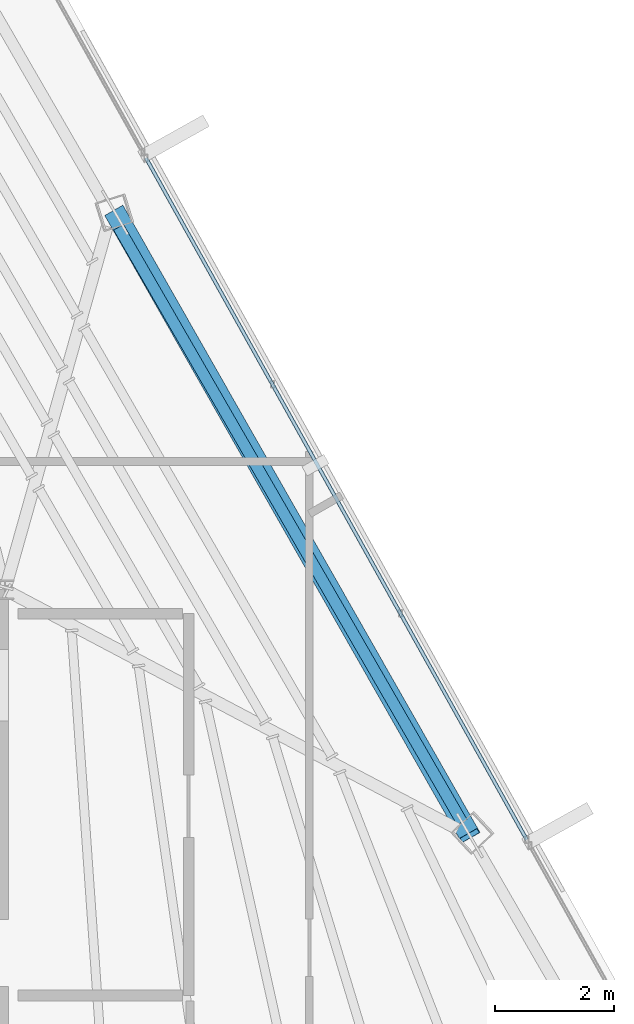
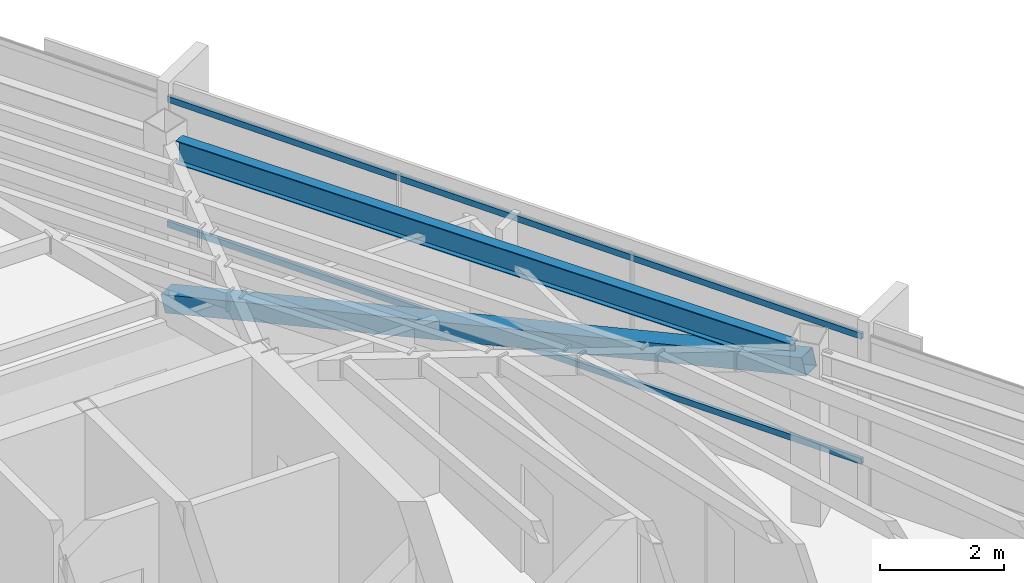
# One storey, part 29 of 48: 3 members, 1 beam, 1 element without a shape of its own.
"""IFC4 building model written with IfcOpenShell, lengths in metres."""

from ifc_helpers import new_model, si_unit, direction, frame, origin, origin_2d, place, context, subcontext, project, spatial, hollow_rectangle, i_section, extrude, source, transform, mapped, material, material_profile, profile_set, type_object, type_shapes, element, aggregate, save


model = new_model("IFC4")

# Units and contexts
model_context = context("Model", 3, precision=1e-05, world=origin(), true_north=direction((0.0, 1.0)))
body_context = subcontext(model_context, "Body", "Model", "MODEL_VIEW")
ifc_project = project(units=[si_unit("LENGTHUNIT", "METRE"), si_unit("AREAUNIT", "SQUARE_METRE"), si_unit("VOLUMEUNIT", "CUBIC_METRE"), si_unit("PLANEANGLEUNIT", "RADIAN"), si_unit("MASSUNIT", "GRAM", prefix="KILO")], contexts=[model_context])

# Site, building, storey
site_placement = place(None, origin())
site = spatial("IfcSite", under=ifc_project, at=site_placement, CompositionType="ELEMENT")
building_placement = place(site_placement, origin())
building = spatial("IfcBuilding", under=site, at=building_placement, Name="Caelisora Broadcast Tower", CompositionType="ELEMENT")
storey_placement = place(building_placement, frame((0.0, 0.0, 277.300048828125)))
storey = spatial("IfcBuildingStorey", under=building, at=storey_placement, Name="L73", CompositionType="ELEMENT", Elevation=277.300048828125)

# Beam
ifc_material_1 = material(Name="Steel Grade 350 (AS/NZS 3679.1)", Category="steel")
ifc_material_profile_1 = material_profile(ifc_material_1, i_section(OverallWidth=0.19091796875, OverallDepth=0.46044921875, WebThickness=0.010009765625, FlangeThickness=0.01611328125, at=origin_2d()), Name="Steel Grade 350 (AS/NZS 3679.1)")
ifc_profile_set_1 = profile_set([ifc_material_profile_1], Name="Steel Grade 350 (AS/NZS 3679.1)")
beam_type = type_object("IfcBeamType", Name="PG06", PredefinedType="BEAM", material=ifc_profile_set_1)
shared_shape_1 = source(origin(), body_context, "Body", "SweptSolid", [
    extrude(i_section(OverallWidth=0.19091796875, OverallDepth=0.46044921875, WebThickness=0.010009765625, FlangeThickness=0.01611328125, at=origin_2d()), origin(), (0.0, 0.0, 1.0), 11.509521484375),
])
type_shapes(beam_type, [shared_shape_1])
beam_placement = place(storey_placement, frame((53.1591796875, 26.107177734375, 3.169677734375), z_axis=(-0.500008281547, 0.866020622378, 0.0), x_axis=(-0.866020622378, -0.500008281547, 0.0)))
element("IfcBeam", 1, at=beam_placement, inside=storey, type_object=beam_type, Name="L73 beam PG06", PredefinedType="BEAM", context=body_context, shape_type="MappedRepresentation", body=[
    mapped(shared_shape_1, transform((0.0, 0.0, 0.0), scale=1.0)),
])

# Member
ifc_material_2 = material(Name="Steel Grade 450 (AS/NZS 1163 C450L0)", Category="steel")
ifc_material_profile_2 = material_profile(ifc_material_2, hollow_rectangle(XDim=0.35009765625, YDim=0.35009765625, WallThickness=0.012451171875, at=origin_2d()), Name="Steel Grade 450 (AS/NZS 1163 C450L0)")
ifc_profile_set_2 = profile_set([ifc_material_profile_2], Name="Steel Grade 450 (AS/NZS 1163 C450L0)")
member_type_1 = type_object("IfcMemberType", Name="BR05", PredefinedType="BRACE", material=ifc_profile_set_2)
shared_shape_2 = source(origin(), body_context, "Body", "SweptSolid", [
    extrude(hollow_rectangle(XDim=0.35009765625, YDim=0.35009765625, WallThickness=0.012451171875, at=origin_2d()), origin(), (0.0, 0.0, 1.0), 12.382568359375),
])
type_shapes(member_type_1, [shared_shape_2])
member_1_placement = place(storey_placement, frame((53.289306640625, 25.8818359375, 3.099853515625), z_axis=(-0.480034402124, 0.843131027972, -0.242274725153), x_axis=(-0.869021178183, -0.494774890097, 0.0)))
element("IfcMember", 2, at=member_1_placement, inside=storey, type_object=member_type_1, Name="L73 perimeter brace BR05", PredefinedType="BRACE", context=body_context, shape_type="MappedRepresentation", body=[
    mapped(shared_shape_2, transform((0.0, 0.0, 0.0), scale=1.0)),
])

# Curtain wall, members
ifc_material_3 = material(Name="Unitised Aluminium Insulated Shadow-Box Spandrel Curtain Wall", Category="aluminium")
curtain_wall_type = type_object("IfcCurtainWallType", Name="CW-SP3", PredefinedType="NOTDEFINED", material=ifc_material_3)
curtain_wall_placement = place(storey_placement, origin())
curtain_wall = element("IfcCurtainWall", 3, at=curtain_wall_placement, inside=storey, type_object=curtain_wall_type, Name="L73 curtain wall CW-SP3", PredefinedType="NOTDEFINED")
ifc_material_4 = material(Name="Aluminium 6063-T6 Anodised Terracotta Bronze", Category="aluminium")
ifc_material_profile_3 = material_profile(ifc_material_4, hollow_rectangle(XDim=0.06005859375, YDim=0.1201171875, WallThickness=0.0029296875, at=origin_2d()), Name="Aluminium 6063-T6 Anodised Terracotta Bronze")
ifc_profile_set_3 = profile_set([ifc_material_profile_3], Name="Aluminium 6063-T6 Anodised Terracotta Bronze")
member_type_2 = type_object("IfcMemberType", Name="CWT-03", PredefinedType="USERDEFINED", material=ifc_profile_set_3)
shared_shape_3 = source(origin(), body_context, "Body", "SweptSolid", [
    extrude(hollow_rectangle(XDim=0.06005859375, YDim=0.1201171875, WallThickness=0.0029296875, at=origin_2d()), origin(), (0.0, 0.0, 1.0), 13.0859375),
])
type_shapes(member_type_2, [shared_shape_3])
member_2_placement = place(storey_placement, frame((47.864013671875, 37.23583984375, 0.849853515625), z_axis=(0.487634433492, -0.873047913504, 0.0), x_axis=(0.873047913504, 0.487634433492, 0.0)))
member_2 = element("IfcMember", 4, at=member_2_placement, type_object=member_type_2, Name="L73-CW-B02 transom #1", ObjectType="TRANSOM", PredefinedType="USERDEFINED", context=body_context, shape_type="MappedRepresentation", body=[
    mapped(shared_shape_3, transform((0.0, 0.0, 0.0), scale=1.0)),
])
member_3_placement = place(storey_placement, frame((47.864013671875, 37.23583984375, 3.320068359375), z_axis=(0.487634433492, -0.873047913504, 0.0), x_axis=(0.873047913504, 0.487634433492, 0.0)))
member_3 = element("IfcMember", 5, at=member_3_placement, type_object=member_type_2, Name="L73-CW-B02 transom #2", ObjectType="TRANSOM", PredefinedType="USERDEFINED", context=body_context, shape_type="MappedRepresentation", body=[
    mapped(shared_shape_3, transform((0.0, 0.0, 0.0), scale=1.0)),
])
aggregate(curtain_wall, [member_2, member_3])

save(model, "model.ifc")
